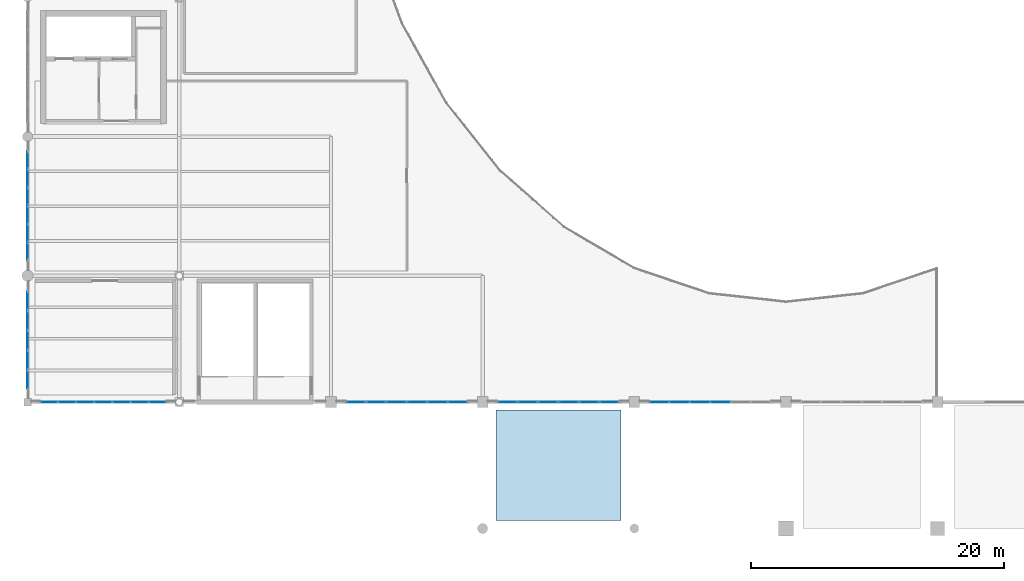
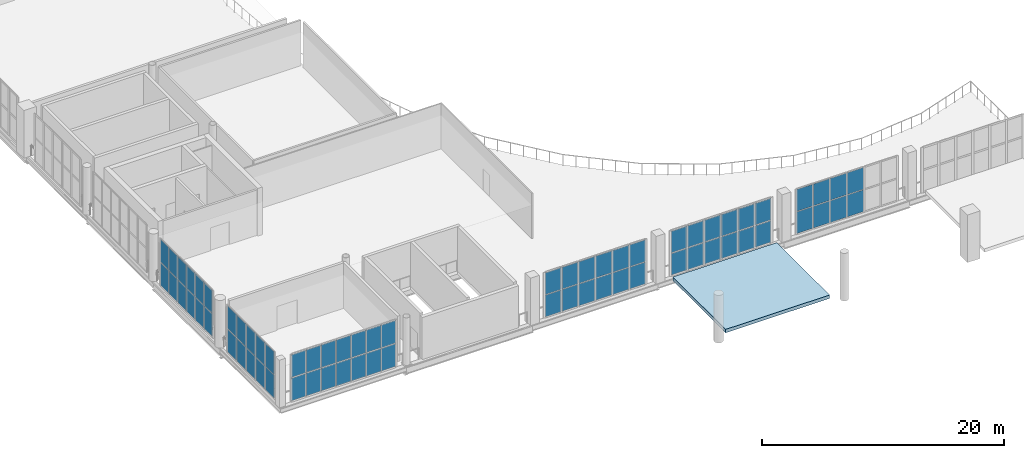
# One storey, part 30 of 49: 68 plates, 1 slab, 6 elements without a shape of their own.
"""IFC4 building model written with IfcOpenShell, lengths in metres."""

from ifc_helpers import new_model, si_unit, direction, frame, origin, origin_2d, place, context, subcontext, project, spatial, polyline, rectangle, outline, extrude, material, layer, layer_set, type_object, element, aggregate, save


model = new_model("IFC4")

# Units and contexts
model_context = context("Model", 3, precision=1e-05, world=origin(), true_north=direction((0.0, 1.0)))
body_context = subcontext(model_context, "Body", "Model", "MODEL_VIEW")
ifc_project = project(units=[si_unit("LENGTHUNIT", "METRE"), si_unit("AREAUNIT", "SQUARE_METRE"), si_unit("VOLUMEUNIT", "CUBIC_METRE"), si_unit("PLANEANGLEUNIT", "RADIAN"), si_unit("MASSUNIT", "GRAM", prefix="KILO")], contexts=[model_context])

# Site, building, storey
site_placement = place(None, origin())
site = spatial("IfcSite", under=ifc_project, at=site_placement, CompositionType="ELEMENT")
building_placement = place(site_placement, origin())
building = spatial("IfcBuilding", under=site, at=building_placement, Name="Brinegate Civic Arena", CompositionType="ELEMENT")
storey_placement = place(building_placement, frame((0.0, 0.0, 24.60009765625)))
storey = spatial("IfcBuildingStorey", under=building, at=storey_placement, Name="L05", CompositionType="ELEMENT", Elevation=24.60009765625)

# Curtain wall, plates
ifc_material_1 = material(Name="Marine grade aluminium", Category="aluminium")
ifc_layer_1 = layer(ifc_material_1, 0.199951171875, Name="Marine grade aluminium")
ifc_layer_set_1 = layer_set([ifc_layer_1], Name="Marine grade aluminium")
curtain_wall_type = type_object("IfcCurtainWallType", Name="CW-BOWL-GLAZED-01", PredefinedType="USERDEFINED", material=ifc_layer_set_1)
curtain_wall_1_placement = place(storey_placement, origin())
curtain_wall_1 = element("IfcCurtainWall", 1, at=curtain_wall_1_placement, inside=storey, type_object=curtain_wall_type, Name="Curtain Wall CWA-164", ObjectType="GLAZED CURTAIN WALL", PredefinedType="USERDEFINED")
ifc_material_2 = material(Name="Hurricane laminated low-E glass", Category="glass")
ifc_layer_2 = layer(ifc_material_2, 0.028076171875, Name="Hurricane laminated low-E glass")
ifc_layer_set_2 = layer_set([ifc_layer_2], Name="Hurricane laminated low-E glass")
plate_type_1 = type_object("IfcPlateType", Name="CW-PANEL-GLAZED-28", PredefinedType="CURTAIN_PANEL", material=ifc_layer_set_2)
plate_1_placement = place(storey_placement, frame((49.707763671875, 10.0, 0.074951171875), z_axis=(0.0, 0.0, 1.0), x_axis=(1.0, 0.0, 0.0)))
plate_1 = element("IfcPlate", 2, at=plate_1_placement, type_object=plate_type_1, Name="CWA-164 panel 1.1", PredefinedType="CURTAIN_PANEL", context=body_context, shape_type="SweptSolid", body=[
    extrude(rectangle(XDim=1.33740234375, YDim=0.028076171875, at=origin_2d()), origin(), (0.0, 0.0, 1.0), 2.28759765625),
])
plate_2_placement = place(storey_placement, frame((49.707763671875, 10.0, 2.437255859375), z_axis=(0.0, 0.0, 1.0), x_axis=(1.0, 0.0, 0.0)))
plate_2 = element("IfcPlate", 3, at=plate_2_placement, type_object=plate_type_1, Name="CWA-164 panel 1.2", PredefinedType="CURTAIN_PANEL", context=body_context, shape_type="SweptSolid", body=[
    extrude(rectangle(XDim=1.33740234375, YDim=0.028076171875, at=origin_2d()), origin(), (0.0, 0.0, 1.0), 2.28759765625),
])
plate_3_placement = place(storey_placement, frame((51.12646484375, 10.0, 0.074951171875), z_axis=(0.0, 0.0, 1.0), x_axis=(1.0, 0.0, 0.0)))
plate_3 = element("IfcPlate", 4, at=plate_3_placement, type_object=plate_type_1, Name="CWA-164 panel 2.1", PredefinedType="CURTAIN_PANEL", context=body_context, shape_type="SweptSolid", body=[
    extrude(rectangle(XDim=1.3701171875, YDim=0.028076171875, at=origin_2d()), origin(), (0.0, 0.0, 1.0), 2.28759765625),
])
plate_4_placement = place(storey_placement, frame((51.12646484375, 10.0, 2.437255859375), z_axis=(0.0, 0.0, 1.0), x_axis=(1.0, 0.0, 0.0)))
plate_4 = element("IfcPlate", 5, at=plate_4_placement, type_object=plate_type_1, Name="CWA-164 panel 2.2", PredefinedType="CURTAIN_PANEL", context=body_context, shape_type="SweptSolid", body=[
    extrude(rectangle(XDim=1.3701171875, YDim=0.028076171875, at=origin_2d()), origin(), (0.0, 0.0, 1.0), 2.28759765625),
])
plate_5_placement = place(storey_placement, frame((52.5615234375, 10.0, 0.074951171875), z_axis=(0.0, 0.0, 1.0), x_axis=(1.0, 0.0, 0.0)))
plate_5 = element("IfcPlate", 6, at=plate_5_placement, type_object=plate_type_1, Name="CWA-164 panel 3.1", PredefinedType="CURTAIN_PANEL", context=body_context, shape_type="SweptSolid", body=[
    extrude(rectangle(XDim=1.3701171875, YDim=0.028076171875, at=origin_2d()), origin(), (0.0, 0.0, 1.0), 2.28759765625),
])
plate_6_placement = place(storey_placement, frame((52.5615234375, 10.0, 2.437255859375), z_axis=(0.0, 0.0, 1.0), x_axis=(1.0, 0.0, 0.0)))
plate_6 = element("IfcPlate", 7, at=plate_6_placement, type_object=plate_type_1, Name="CWA-164 panel 3.2", PredefinedType="CURTAIN_PANEL", context=body_context, shape_type="SweptSolid", body=[
    extrude(rectangle(XDim=1.3701171875, YDim=0.028076171875, at=origin_2d()), origin(), (0.0, 0.0, 1.0), 2.28759765625),
])
plate_7_placement = place(storey_placement, frame((53.99658203125, 10.0, 0.074951171875), z_axis=(0.0, 0.0, 1.0), x_axis=(1.0, 0.0, 0.0)))
plate_7 = element("IfcPlate", 8, at=plate_7_placement, type_object=plate_type_1, Name="CWA-164 panel 4.1", PredefinedType="CURTAIN_PANEL", context=body_context, shape_type="SweptSolid", body=[
    extrude(rectangle(XDim=1.3701171875, YDim=0.028076171875, at=origin_2d()), origin(), (0.0, 0.0, 1.0), 2.28759765625),
])
plate_8_placement = place(storey_placement, frame((53.99658203125, 10.0, 2.437255859375), z_axis=(0.0, 0.0, 1.0), x_axis=(1.0, 0.0, 0.0)))
plate_8 = element("IfcPlate", 9, at=plate_8_placement, type_object=plate_type_1, Name="CWA-164 panel 4.2", PredefinedType="CURTAIN_PANEL", context=body_context, shape_type="SweptSolid", body=[
    extrude(rectangle(XDim=1.3701171875, YDim=0.028076171875, at=origin_2d()), origin(), (0.0, 0.0, 1.0), 2.28759765625),
])
plate_9_placement = place(storey_placement, frame((55.431396484375, 10.0, 0.074951171875), z_axis=(0.0, 0.0, 1.0), x_axis=(1.0, 0.0, 0.0)))
plate_9 = element("IfcPlate", 10, at=plate_9_placement, type_object=plate_type_1, Name="CWA-164 panel 5.1", PredefinedType="CURTAIN_PANEL", context=body_context, shape_type="SweptSolid", body=[
    extrude(rectangle(XDim=1.3701171875, YDim=0.028076171875, at=origin_2d()), origin(), (0.0, 0.0, 1.0), 2.28759765625),
])
plate_10_placement = place(storey_placement, frame((55.431396484375, 10.0, 2.437255859375), z_axis=(0.0, 0.0, 1.0), x_axis=(1.0, 0.0, 0.0)))
plate_10 = element("IfcPlate", 11, at=plate_10_placement, type_object=plate_type_1, Name="CWA-164 panel 5.2", PredefinedType="CURTAIN_PANEL", context=body_context, shape_type="SweptSolid", body=[
    extrude(rectangle(XDim=1.3701171875, YDim=0.028076171875, at=origin_2d()), origin(), (0.0, 0.0, 1.0), 2.28759765625),
])
plate_11_placement = place(storey_placement, frame((56.866455078125, 10.0, 0.074951171875), z_axis=(0.0, 0.0, 1.0), x_axis=(1.0, 0.0, 0.0)))
plate_11 = element("IfcPlate", 12, at=plate_11_placement, type_object=plate_type_1, Name="CWA-164 panel 6.1", PredefinedType="CURTAIN_PANEL", context=body_context, shape_type="SweptSolid", body=[
    extrude(rectangle(XDim=1.3701171875, YDim=0.028076171875, at=origin_2d()), origin(), (0.0, 0.0, 1.0), 2.28759765625),
])
plate_12_placement = place(storey_placement, frame((56.866455078125, 10.0, 2.437255859375), z_axis=(0.0, 0.0, 1.0), x_axis=(1.0, 0.0, 0.0)))
plate_12 = element("IfcPlate", 13, at=plate_12_placement, type_object=plate_type_1, Name="CWA-164 panel 6.2", PredefinedType="CURTAIN_PANEL", context=body_context, shape_type="SweptSolid", body=[
    extrude(rectangle(XDim=1.3701171875, YDim=0.028076171875, at=origin_2d()), origin(), (0.0, 0.0, 1.0), 2.28759765625),
])
plate_13_placement = place(storey_placement, frame((58.28515625, 10.0, 0.074951171875), z_axis=(0.0, 0.0, 1.0), x_axis=(1.0, 0.0, 0.0)))
plate_13 = element("IfcPlate", 14, at=plate_13_placement, type_object=plate_type_1, Name="CWA-164 panel 7.1", PredefinedType="CURTAIN_PANEL", context=body_context, shape_type="SweptSolid", body=[
    extrude(rectangle(XDim=1.33740234375, YDim=0.028076171875, at=origin_2d()), origin(), (0.0, 0.0, 1.0), 2.28759765625),
])
plate_14_placement = place(storey_placement, frame((58.28515625, 10.0, 2.437255859375), z_axis=(0.0, 0.0, 1.0), x_axis=(1.0, 0.0, 0.0)))
plate_14 = element("IfcPlate", 15, at=plate_14_placement, type_object=plate_type_1, Name="CWA-164 panel 7.2", PredefinedType="CURTAIN_PANEL", context=body_context, shape_type="SweptSolid", body=[
    extrude(rectangle(XDim=1.33740234375, YDim=0.028076171875, at=origin_2d()), origin(), (0.0, 0.0, 1.0), 2.28759765625),
])
aggregate(curtain_wall_1, [plate_1, plate_2, plate_3, plate_4, plate_5, plate_6, plate_7, plate_8, plate_9, plate_10, plate_11, plate_12, plate_13, plate_14])

curtain_wall_2_placement = place(storey_placement, origin())
curtain_wall_2 = element("IfcCurtainWall", 16, at=curtain_wall_2_placement, inside=storey, type_object=curtain_wall_type, Name="Curtain Wall CWA-167", ObjectType="GLAZED CURTAIN WALL", PredefinedType="USERDEFINED")
plate_15_placement = place(storey_placement, frame((97.975341796875, 10.0, 0.06494140625), z_axis=(0.0, 0.0, 1.0), x_axis=(1.0, 0.0, 0.0)))
plate_15 = element("IfcPlate", 17, at=plate_15_placement, type_object=plate_type_1, Name="CWA-167 panel 1.1", PredefinedType="CURTAIN_PANEL", context=body_context, shape_type="SweptSolid", body=[
    extrude(rectangle(XDim=1.518798828125, YDim=0.028076171875, at=origin_2d()), origin(), (0.0, 0.0, 1.0), 2.1923828125),
])
plate_16_placement = place(storey_placement, frame((97.975341796875, 10.0, 2.322509765625), z_axis=(0.0, 0.0, 1.0), x_axis=(1.0, 0.0, 0.0)))
plate_16 = element("IfcPlate", 18, at=plate_16_placement, type_object=plate_type_1, Name="CWA-167 panel 1.2", PredefinedType="CURTAIN_PANEL", context=body_context, shape_type="SweptSolid", body=[
    extrude(rectangle(XDim=1.518798828125, YDim=0.028076171875, at=origin_2d()), origin(), (0.0, 0.0, 1.0), 2.1923828125),
])
plate_17_placement = place(storey_placement, frame((99.575439453125, 10.0, 0.06494140625), z_axis=(0.0, 0.0, 1.0), x_axis=(1.0, 0.0, 0.0)))
plate_17 = element("IfcPlate", 19, at=plate_17_placement, type_object=plate_type_1, Name="CWA-167 panel 2.1", PredefinedType="CURTAIN_PANEL", context=body_context, shape_type="SweptSolid", body=[
    extrude(rectangle(XDim=1.55126953125, YDim=0.028076171875, at=origin_2d()), origin(), (0.0, 0.0, 1.0), 2.1923828125),
])
plate_18_placement = place(storey_placement, frame((99.575439453125, 10.0, 2.322509765625), z_axis=(0.0, 0.0, 1.0), x_axis=(1.0, 0.0, 0.0)))
plate_18 = element("IfcPlate", 20, at=plate_18_placement, type_object=plate_type_1, Name="CWA-167 panel 2.2", PredefinedType="CURTAIN_PANEL", context=body_context, shape_type="SweptSolid", body=[
    extrude(rectangle(XDim=1.55126953125, YDim=0.028076171875, at=origin_2d()), origin(), (0.0, 0.0, 1.0), 2.1923828125),
])
plate_19_placement = place(storey_placement, frame((101.19189453125, 10.0, 0.06494140625), z_axis=(0.0, 0.0, 1.0), x_axis=(1.0, 0.0, 0.0)))
plate_19 = element("IfcPlate", 21, at=plate_19_placement, type_object=plate_type_1, Name="CWA-167 panel 3.1", PredefinedType="CURTAIN_PANEL", context=body_context, shape_type="SweptSolid", body=[
    extrude(rectangle(XDim=1.55126953125, YDim=0.028076171875, at=origin_2d()), origin(), (0.0, 0.0, 1.0), 2.1923828125),
])
plate_20_placement = place(storey_placement, frame((101.19189453125, 10.0, 2.322509765625), z_axis=(0.0, 0.0, 1.0), x_axis=(1.0, 0.0, 0.0)))
plate_20 = element("IfcPlate", 22, at=plate_20_placement, type_object=plate_type_1, Name="CWA-167 panel 3.2", PredefinedType="CURTAIN_PANEL", context=body_context, shape_type="SweptSolid", body=[
    extrude(rectangle(XDim=1.55126953125, YDim=0.028076171875, at=origin_2d()), origin(), (0.0, 0.0, 1.0), 2.1923828125),
])
plate_21_placement = place(storey_placement, frame((102.80810546875, 10.0, 0.06494140625), z_axis=(0.0, 0.0, 1.0), x_axis=(1.0, 0.0, 0.0)))
plate_21 = element("IfcPlate", 23, at=plate_21_placement, type_object=plate_type_1, Name="CWA-167 panel 4.1", PredefinedType="CURTAIN_PANEL", context=body_context, shape_type="SweptSolid", body=[
    extrude(rectangle(XDim=1.55126953125, YDim=0.028076171875, at=origin_2d()), origin(), (0.0, 0.0, 1.0), 2.1923828125),
])
plate_22_placement = place(storey_placement, frame((102.80810546875, 10.0, 2.322509765625), z_axis=(0.0, 0.0, 1.0), x_axis=(1.0, 0.0, 0.0)))
plate_22 = element("IfcPlate", 24, at=plate_22_placement, type_object=plate_type_1, Name="CWA-167 panel 4.2", PredefinedType="CURTAIN_PANEL", context=body_context, shape_type="SweptSolid", body=[
    extrude(rectangle(XDim=1.55126953125, YDim=0.028076171875, at=origin_2d()), origin(), (0.0, 0.0, 1.0), 2.1923828125),
])
aggregate(curtain_wall_2, [plate_15, plate_16, plate_17, plate_18, plate_19, plate_20, plate_21, plate_22])

curtain_wall_3_placement = place(storey_placement, origin())
curtain_wall_3 = element("IfcCurtainWall", 25, at=curtain_wall_3_placement, inside=storey, type_object=curtain_wall_type, Name="Curtain Wall CWA-154", ObjectType="GLAZED CURTAIN WALL", PredefinedType="USERDEFINED")
ifc_layer_3 = layer(ifc_material_2, 0.035888671875, Name="Hurricane laminated low-E glass")
ifc_layer_set_3 = layer_set([ifc_layer_3], Name="Hurricane laminated low-E glass")
plate_type_2 = type_object("IfcPlateType", Name="CW-PANEL-GLAZED-36", PredefinedType="CURTAIN_PANEL", material=ifc_layer_set_3)
plate_23_placement = place(storey_placement, frame((48.0, 11.77685546875, 0.06494140625), z_axis=(0.0, 0.0, 1.0), x_axis=(0.0, 1.0, 0.0)))
plate_23 = element("IfcPlate", 26, at=plate_23_placement, type_object=plate_type_2, Name="CWA-154 panel 1.1", PredefinedType="CURTAIN_PANEL", context=body_context, shape_type="SweptSolid", body=[
    extrude(rectangle(XDim=1.45556640625, YDim=0.035888671875, at=origin_2d()), origin(), (0.0, 0.0, 1.0), 2.302490234375),
])
plate_24_placement = place(storey_placement, frame((48.0, 11.77685546875, 2.4326171875), z_axis=(0.0, 0.0, 1.0), x_axis=(0.0, 1.0, 0.0)))
plate_24 = element("IfcPlate", 27, at=plate_24_placement, type_object=plate_type_2, Name="CWA-154 panel 1.2", PredefinedType="CURTAIN_PANEL", context=body_context, shape_type="SweptSolid", body=[
    extrude(rectangle(XDim=1.45556640625, YDim=0.035888671875, at=origin_2d()), origin(), (0.0, 0.0, 1.0), 2.302490234375),
])
plate_25_placement = place(storey_placement, frame((48.0, 13.325927734375, 0.06494140625), z_axis=(0.0, 0.0, 1.0), x_axis=(0.0, 1.0, 0.0)))
plate_25 = element("IfcPlate", 28, at=plate_25_placement, type_object=plate_type_2, Name="CWA-154 panel 2.1", PredefinedType="CURTAIN_PANEL", context=body_context, shape_type="SweptSolid", body=[
    extrude(rectangle(XDim=1.492919921875, YDim=0.035888671875, at=origin_2d()), origin(), (0.0, 0.0, 1.0), 2.302490234375),
])
plate_26_placement = place(storey_placement, frame((48.0, 13.325927734375, 2.4326171875), z_axis=(0.0, 0.0, 1.0), x_axis=(0.0, 1.0, 0.0)))
plate_26 = element("IfcPlate", 29, at=plate_26_placement, type_object=plate_type_2, Name="CWA-154 panel 2.2", PredefinedType="CURTAIN_PANEL", context=body_context, shape_type="SweptSolid", body=[
    extrude(rectangle(XDim=1.492919921875, YDim=0.035888671875, at=origin_2d()), origin(), (0.0, 0.0, 1.0), 2.302490234375),
])
plate_27_placement = place(storey_placement, frame((48.0, 14.89404296875, 0.06494140625), z_axis=(0.0, 0.0, 1.0), x_axis=(0.0, 1.0, 0.0)))
plate_27 = element("IfcPlate", 30, at=plate_27_placement, type_object=plate_type_2, Name="CWA-154 panel 3.1", PredefinedType="CURTAIN_PANEL", context=body_context, shape_type="SweptSolid", body=[
    extrude(rectangle(XDim=1.492919921875, YDim=0.035888671875, at=origin_2d()), origin(), (0.0, 0.0, 1.0), 2.302490234375),
])
plate_28_placement = place(storey_placement, frame((48.0, 14.89404296875, 2.4326171875), z_axis=(0.0, 0.0, 1.0), x_axis=(0.0, 1.0, 0.0)))
plate_28 = element("IfcPlate", 31, at=plate_28_placement, type_object=plate_type_2, Name="CWA-154 panel 3.2", PredefinedType="CURTAIN_PANEL", context=body_context, shape_type="SweptSolid", body=[
    extrude(rectangle(XDim=1.492919921875, YDim=0.035888671875, at=origin_2d()), origin(), (0.0, 0.0, 1.0), 2.302490234375),
])
plate_29_placement = place(storey_placement, frame((48.0, 16.4619140625, 0.06494140625), z_axis=(0.0, 0.0, 1.0), x_axis=(0.0, 1.0, 0.0)))
plate_29 = element("IfcPlate", 32, at=plate_29_placement, type_object=plate_type_2, Name="CWA-154 panel 4.1", PredefinedType="CURTAIN_PANEL", context=body_context, shape_type="SweptSolid", body=[
    extrude(rectangle(XDim=1.492919921875, YDim=0.035888671875, at=origin_2d()), origin(), (0.0, 0.0, 1.0), 2.302490234375),
])
plate_30_placement = place(storey_placement, frame((48.0, 16.4619140625, 2.4326171875), z_axis=(0.0, 0.0, 1.0), x_axis=(0.0, 1.0, 0.0)))
plate_30 = element("IfcPlate", 33, at=plate_30_placement, type_object=plate_type_2, Name="CWA-154 panel 4.2", PredefinedType="CURTAIN_PANEL", context=body_context, shape_type="SweptSolid", body=[
    extrude(rectangle(XDim=1.492919921875, YDim=0.035888671875, at=origin_2d()), origin(), (0.0, 0.0, 1.0), 2.302490234375),
])
plate_31_placement = place(storey_placement, frame((48.0, 18.01123046875, 0.06494140625), z_axis=(0.0, 0.0, 1.0), x_axis=(0.0, 1.0, 0.0)))
plate_31 = element("IfcPlate", 34, at=plate_31_placement, type_object=plate_type_2, Name="CWA-154 panel 5.1", PredefinedType="CURTAIN_PANEL", context=body_context, shape_type="SweptSolid", body=[
    extrude(rectangle(XDim=1.45556640625, YDim=0.035888671875, at=origin_2d()), origin(), (0.0, 0.0, 1.0), 2.302490234375),
])
plate_32_placement = place(storey_placement, frame((48.0, 18.01123046875, 2.4326171875), z_axis=(0.0, 0.0, 1.0), x_axis=(0.0, 1.0, 0.0)))
plate_32 = element("IfcPlate", 35, at=plate_32_placement, type_object=plate_type_2, Name="CWA-154 panel 5.2", PredefinedType="CURTAIN_PANEL", context=body_context, shape_type="SweptSolid", body=[
    extrude(rectangle(XDim=1.45556640625, YDim=0.035888671875, at=origin_2d()), origin(), (0.0, 0.0, 1.0), 2.302490234375),
])
aggregate(curtain_wall_3, [plate_23, plate_24, plate_25, plate_26, plate_27, plate_28, plate_29, plate_30, plate_31, plate_32])

curtain_wall_4_placement = place(storey_placement, origin())
curtain_wall_4 = element("IfcCurtainWall", 36, at=curtain_wall_4_placement, inside=storey, type_object=curtain_wall_type, Name="Curtain Wall CWA-165", ObjectType="GLAZED CURTAIN WALL", PredefinedType="USERDEFINED")
plate_33_placement = place(storey_placement, frame((73.97802734375, 10.0, 0.06494140625), z_axis=(0.0, 0.0, 1.0), x_axis=(1.0, 0.0, 0.0)))
plate_33 = element("IfcPlate", 37, at=plate_33_placement, type_object=plate_type_2, Name="CWA-165 panel 1.1", PredefinedType="CURTAIN_PANEL", context=body_context, shape_type="SweptSolid", body=[
    extrude(rectangle(XDim=1.50390625, YDim=0.035888671875, at=origin_2d()), origin(), (0.0, 0.0, 1.0), 2.1923828125),
])
plate_34_placement = place(storey_placement, frame((73.97802734375, 10.0, 2.322509765625), z_axis=(0.0, 0.0, 1.0), x_axis=(1.0, 0.0, 0.0)))
plate_34 = element("IfcPlate", 38, at=plate_34_placement, type_object=plate_type_2, Name="CWA-165 panel 1.2", PredefinedType="CURTAIN_PANEL", context=body_context, shape_type="SweptSolid", body=[
    extrude(rectangle(XDim=1.50390625, YDim=0.035888671875, at=origin_2d()), origin(), (0.0, 0.0, 1.0), 2.1923828125),
])
plate_35_placement = place(storey_placement, frame((75.575439453125, 10.0, 0.06494140625), z_axis=(0.0, 0.0, 1.0), x_axis=(1.0, 0.0, 0.0)))
plate_35 = element("IfcPlate", 39, at=plate_35_placement, type_object=plate_type_2, Name="CWA-165 panel 2.1", PredefinedType="CURTAIN_PANEL", context=body_context, shape_type="SweptSolid", body=[
    extrude(rectangle(XDim=1.541259765625, YDim=0.035888671875, at=origin_2d()), origin(), (0.0, 0.0, 1.0), 2.1923828125),
])
plate_36_placement = place(storey_placement, frame((75.575439453125, 10.0, 2.322509765625), z_axis=(0.0, 0.0, 1.0), x_axis=(1.0, 0.0, 0.0)))
plate_36 = element("IfcPlate", 40, at=plate_36_placement, type_object=plate_type_2, Name="CWA-165 panel 2.2", PredefinedType="CURTAIN_PANEL", context=body_context, shape_type="SweptSolid", body=[
    extrude(rectangle(XDim=1.541259765625, YDim=0.035888671875, at=origin_2d()), origin(), (0.0, 0.0, 1.0), 2.1923828125),
])
plate_37_placement = place(storey_placement, frame((77.19189453125, 10.0, 0.06494140625), z_axis=(0.0, 0.0, 1.0), x_axis=(1.0, 0.0, 0.0)))
plate_37 = element("IfcPlate", 41, at=plate_37_placement, type_object=plate_type_2, Name="CWA-165 panel 3.1", PredefinedType="CURTAIN_PANEL", context=body_context, shape_type="SweptSolid", body=[
    extrude(rectangle(XDim=1.541259765625, YDim=0.035888671875, at=origin_2d()), origin(), (0.0, 0.0, 1.0), 2.1923828125),
])
plate_38_placement = place(storey_placement, frame((77.19189453125, 10.0, 2.322509765625), z_axis=(0.0, 0.0, 1.0), x_axis=(1.0, 0.0, 0.0)))
plate_38 = element("IfcPlate", 42, at=plate_38_placement, type_object=plate_type_2, Name="CWA-165 panel 3.2", PredefinedType="CURTAIN_PANEL", context=body_context, shape_type="SweptSolid", body=[
    extrude(rectangle(XDim=1.541259765625, YDim=0.035888671875, at=origin_2d()), origin(), (0.0, 0.0, 1.0), 2.1923828125),
])
plate_39_placement = place(storey_placement, frame((78.80810546875, 10.0, 0.06494140625), z_axis=(0.0, 0.0, 1.0), x_axis=(1.0, 0.0, 0.0)))
plate_39 = element("IfcPlate", 43, at=plate_39_placement, type_object=plate_type_2, Name="CWA-165 panel 4.1", PredefinedType="CURTAIN_PANEL", context=body_context, shape_type="SweptSolid", body=[
    extrude(rectangle(XDim=1.541259765625, YDim=0.035888671875, at=origin_2d()), origin(), (0.0, 0.0, 1.0), 2.1923828125),
])
plate_40_placement = place(storey_placement, frame((78.80810546875, 10.0, 2.322509765625), z_axis=(0.0, 0.0, 1.0), x_axis=(1.0, 0.0, 0.0)))
plate_40 = element("IfcPlate", 44, at=plate_40_placement, type_object=plate_type_2, Name="CWA-165 panel 4.2", PredefinedType="CURTAIN_PANEL", context=body_context, shape_type="SweptSolid", body=[
    extrude(rectangle(XDim=1.541259765625, YDim=0.035888671875, at=origin_2d()), origin(), (0.0, 0.0, 1.0), 2.1923828125),
])
plate_41_placement = place(storey_placement, frame((80.424560546875, 10.0, 0.06494140625), z_axis=(0.0, 0.0, 1.0), x_axis=(1.0, 0.0, 0.0)))
plate_41 = element("IfcPlate", 45, at=plate_41_placement, type_object=plate_type_2, Name="CWA-165 panel 5.1", PredefinedType="CURTAIN_PANEL", context=body_context, shape_type="SweptSolid", body=[
    extrude(rectangle(XDim=1.541259765625, YDim=0.035888671875, at=origin_2d()), origin(), (0.0, 0.0, 1.0), 2.1923828125),
])
plate_42_placement = place(storey_placement, frame((80.424560546875, 10.0, 2.322509765625), z_axis=(0.0, 0.0, 1.0), x_axis=(1.0, 0.0, 0.0)))
plate_42 = element("IfcPlate", 46, at=plate_42_placement, type_object=plate_type_2, Name="CWA-165 panel 5.2", PredefinedType="CURTAIN_PANEL", context=body_context, shape_type="SweptSolid", body=[
    extrude(rectangle(XDim=1.541259765625, YDim=0.035888671875, at=origin_2d()), origin(), (0.0, 0.0, 1.0), 2.1923828125),
])
plate_43_placement = place(storey_placement, frame((82.02197265625, 10.0, 0.06494140625), z_axis=(0.0, 0.0, 1.0), x_axis=(1.0, 0.0, 0.0)))
plate_43 = element("IfcPlate", 47, at=plate_43_placement, type_object=plate_type_2, Name="CWA-165 panel 6.1", PredefinedType="CURTAIN_PANEL", context=body_context, shape_type="SweptSolid", body=[
    extrude(rectangle(XDim=1.50390625, YDim=0.035888671875, at=origin_2d()), origin(), (0.0, 0.0, 1.0), 2.1923828125),
])
plate_44_placement = place(storey_placement, frame((82.02197265625, 10.0, 2.322509765625), z_axis=(0.0, 0.0, 1.0), x_axis=(1.0, 0.0, 0.0)))
plate_44 = element("IfcPlate", 48, at=plate_44_placement, type_object=plate_type_2, Name="CWA-165 panel 6.2", PredefinedType="CURTAIN_PANEL", context=body_context, shape_type="SweptSolid", body=[
    extrude(rectangle(XDim=1.50390625, YDim=0.035888671875, at=origin_2d()), origin(), (0.0, 0.0, 1.0), 2.1923828125),
])
aggregate(curtain_wall_4, [plate_33, plate_34, plate_35, plate_36, plate_37, plate_38, plate_39, plate_40, plate_41, plate_42, plate_43, plate_44])

curtain_wall_5_placement = place(storey_placement, origin())
curtain_wall_5 = element("IfcCurtainWall", 49, at=curtain_wall_5_placement, inside=storey, type_object=curtain_wall_type, Name="Curtain Wall CWA-155", ObjectType="GLAZED CURTAIN WALL", PredefinedType="USERDEFINED")
ifc_layer_4 = layer(ifc_material_2, 0.0419921875, Name="Hurricane laminated low-E glass")
ifc_layer_set_4 = layer_set([ifc_layer_4], Name="Hurricane laminated low-E glass")
plate_type_3 = type_object("IfcPlateType", Name="CW-PANEL-SPANDREL-42", PredefinedType="CURTAIN_PANEL", material=ifc_layer_set_4)
plate_45_placement = place(storey_placement, frame((48.0, 21.930908203125, 0.074951171875), z_axis=(0.0, 0.0, 1.0), x_axis=(0.0, 1.0, 0.0)))
plate_45 = element("IfcPlate", 50, at=plate_45_placement, type_object=plate_type_3, Name="CWA-155 panel 1.1", PredefinedType="CURTAIN_PANEL", context=body_context, shape_type="SweptSolid", body=[
    extrude(rectangle(XDim=1.32958984375, YDim=0.0419921875, at=origin_2d()), origin(), (0.0, 0.0, 1.0), 2.28759765625),
])
plate_46_placement = place(storey_placement, frame((48.0, 21.930908203125, 2.437255859375), z_axis=(0.0, 0.0, 1.0), x_axis=(0.0, 1.0, 0.0)))
plate_46 = element("IfcPlate", 51, at=plate_46_placement, type_object=plate_type_3, Name="CWA-155 panel 1.2", PredefinedType="CURTAIN_PANEL", context=body_context, shape_type="SweptSolid", body=[
    extrude(rectangle(XDim=1.32958984375, YDim=0.0419921875, at=origin_2d()), origin(), (0.0, 0.0, 1.0), 2.28759765625),
])
plate_47_placement = place(storey_placement, frame((48.0, 23.360595703125, 0.074951171875), z_axis=(0.0, 0.0, 1.0), x_axis=(0.0, 1.0, 0.0)))
plate_47 = element("IfcPlate", 52, at=plate_47_placement, type_object=plate_type_3, Name="CWA-155 panel 2.1", PredefinedType="CURTAIN_PANEL", context=body_context, shape_type="SweptSolid", body=[
    extrude(rectangle(XDim=1.36962890625, YDim=0.0419921875, at=origin_2d()), origin(), (0.0, 0.0, 1.0), 2.28759765625),
])
plate_48_placement = place(storey_placement, frame((48.0, 23.360595703125, 2.437255859375), z_axis=(0.0, 0.0, 1.0), x_axis=(0.0, 1.0, 0.0)))
plate_48 = element("IfcPlate", 53, at=plate_48_placement, type_object=plate_type_3, Name="CWA-155 panel 2.2", PredefinedType="CURTAIN_PANEL", context=body_context, shape_type="SweptSolid", body=[
    extrude(rectangle(XDim=1.36962890625, YDim=0.0419921875, at=origin_2d()), origin(), (0.0, 0.0, 1.0), 2.28759765625),
])
plate_49_placement = place(storey_placement, frame((48.0, 24.81005859375, 0.074951171875), z_axis=(0.0, 0.0, 1.0), x_axis=(0.0, 1.0, 0.0)))
plate_49 = element("IfcPlate", 54, at=plate_49_placement, type_object=plate_type_3, Name="CWA-155 panel 3.1", PredefinedType="CURTAIN_PANEL", context=body_context, shape_type="SweptSolid", body=[
    extrude(rectangle(XDim=1.36962890625, YDim=0.0419921875, at=origin_2d()), origin(), (0.0, 0.0, 1.0), 2.28759765625),
])
plate_50_placement = place(storey_placement, frame((48.0, 24.81005859375, 2.437255859375), z_axis=(0.0, 0.0, 1.0), x_axis=(0.0, 1.0, 0.0)))
plate_50 = element("IfcPlate", 55, at=plate_50_placement, type_object=plate_type_3, Name="CWA-155 panel 3.2", PredefinedType="CURTAIN_PANEL", context=body_context, shape_type="SweptSolid", body=[
    extrude(rectangle(XDim=1.36962890625, YDim=0.0419921875, at=origin_2d()), origin(), (0.0, 0.0, 1.0), 2.28759765625),
])
plate_51_placement = place(storey_placement, frame((48.0, 26.259765625, 0.074951171875), z_axis=(0.0, 0.0, 1.0), x_axis=(0.0, 1.0, 0.0)))
plate_51 = element("IfcPlate", 56, at=plate_51_placement, type_object=plate_type_3, Name="CWA-155 panel 4.1", PredefinedType="CURTAIN_PANEL", context=body_context, shape_type="SweptSolid", body=[
    extrude(rectangle(XDim=1.36962890625, YDim=0.0419921875, at=origin_2d()), origin(), (0.0, 0.0, 1.0), 2.28759765625),
])
plate_52_placement = place(storey_placement, frame((48.0, 26.259765625, 2.437255859375), z_axis=(0.0, 0.0, 1.0), x_axis=(0.0, 1.0, 0.0)))
plate_52 = element("IfcPlate", 57, at=plate_52_placement, type_object=plate_type_3, Name="CWA-155 panel 4.2", PredefinedType="CURTAIN_PANEL", context=body_context, shape_type="SweptSolid", body=[
    extrude(rectangle(XDim=1.36962890625, YDim=0.0419921875, at=origin_2d()), origin(), (0.0, 0.0, 1.0), 2.28759765625),
])
plate_53_placement = place(storey_placement, frame((48.0, 27.70947265625, 0.074951171875), z_axis=(0.0, 0.0, 1.0), x_axis=(0.0, 1.0, 0.0)))
plate_53 = element("IfcPlate", 58, at=plate_53_placement, type_object=plate_type_3, Name="CWA-155 panel 5.1", PredefinedType="CURTAIN_PANEL", context=body_context, shape_type="SweptSolid", body=[
    extrude(rectangle(XDim=1.36962890625, YDim=0.0419921875, at=origin_2d()), origin(), (0.0, 0.0, 1.0), 2.28759765625),
])
plate_54_placement = place(storey_placement, frame((48.0, 27.70947265625, 2.437255859375), z_axis=(0.0, 0.0, 1.0), x_axis=(0.0, 1.0, 0.0)))
plate_54 = element("IfcPlate", 59, at=plate_54_placement, type_object=plate_type_3, Name="CWA-155 panel 5.2", PredefinedType="CURTAIN_PANEL", context=body_context, shape_type="SweptSolid", body=[
    extrude(rectangle(XDim=1.36962890625, YDim=0.0419921875, at=origin_2d()), origin(), (0.0, 0.0, 1.0), 2.28759765625),
])
plate_55_placement = place(storey_placement, frame((48.0, 29.13916015625, 0.074951171875), z_axis=(0.0, 0.0, 1.0), x_axis=(0.0, 1.0, 0.0)))
plate_55 = element("IfcPlate", 60, at=plate_55_placement, type_object=plate_type_3, Name="CWA-155 panel 6.1", PredefinedType="CURTAIN_PANEL", context=body_context, shape_type="SweptSolid", body=[
    extrude(rectangle(XDim=1.32958984375, YDim=0.0419921875, at=origin_2d()), origin(), (0.0, 0.0, 1.0), 2.28759765625),
])
plate_56_placement = place(storey_placement, frame((48.0, 29.13916015625, 2.437255859375), z_axis=(0.0, 0.0, 1.0), x_axis=(0.0, 1.0, 0.0)))
plate_56 = element("IfcPlate", 61, at=plate_56_placement, type_object=plate_type_3, Name="CWA-155 panel 6.2", PredefinedType="CURTAIN_PANEL", context=body_context, shape_type="SweptSolid", body=[
    extrude(rectangle(XDim=1.32958984375, YDim=0.0419921875, at=origin_2d()), origin(), (0.0, 0.0, 1.0), 2.28759765625),
])
aggregate(curtain_wall_5, [plate_45, plate_46, plate_47, plate_48, plate_49, plate_50, plate_51, plate_52, plate_53, plate_54, plate_55, plate_56])

curtain_wall_6_placement = place(storey_placement, origin())
curtain_wall_6 = element("IfcCurtainWall", 62, at=curtain_wall_6_placement, inside=storey, type_object=curtain_wall_type, Name="Curtain Wall CWA-166", ObjectType="GLAZED CURTAIN WALL", PredefinedType="USERDEFINED")
plate_57_placement = place(storey_placement, frame((85.979248046875, 10.0, 0.07470703125), z_axis=(0.0, 0.0, 1.0), x_axis=(1.0, 0.0, 0.0)))
plate_57 = element("IfcPlate", 63, at=plate_57_placement, type_object=plate_type_3, Name="CWA-166 panel 1.1", PredefinedType="CURTAIN_PANEL", context=body_context, shape_type="SweptSolid", body=[
    extrude(rectangle(XDim=1.496337890625, YDim=0.0419921875, at=origin_2d()), origin(), (0.0, 0.0, 1.0), 2.177490234375),
])
plate_58_placement = place(storey_placement, frame((85.979248046875, 10.0, 2.32763671875), z_axis=(0.0, 0.0, 1.0), x_axis=(1.0, 0.0, 0.0)))
plate_58 = element("IfcPlate", 64, at=plate_58_placement, type_object=plate_type_3, Name="CWA-166 panel 1.2", PredefinedType="CURTAIN_PANEL", context=body_context, shape_type="SweptSolid", body=[
    extrude(rectangle(XDim=1.496337890625, YDim=0.0419921875, at=origin_2d()), origin(), (0.0, 0.0, 1.0), 2.177490234375),
])
plate_59_placement = place(storey_placement, frame((87.575439453125, 10.0, 0.07470703125), z_axis=(0.0, 0.0, 1.0), x_axis=(1.0, 0.0, 0.0)))
plate_59 = element("IfcPlate", 65, at=plate_59_placement, type_object=plate_type_3, Name="CWA-166 panel 2.1", PredefinedType="CURTAIN_PANEL", context=body_context, shape_type="SweptSolid", body=[
    extrude(rectangle(XDim=1.536376953125, YDim=0.0419921875, at=origin_2d()), origin(), (0.0, 0.0, 1.0), 2.177490234375),
])
plate_60_placement = place(storey_placement, frame((87.575439453125, 10.0, 2.32763671875), z_axis=(0.0, 0.0, 1.0), x_axis=(1.0, 0.0, 0.0)))
plate_60 = element("IfcPlate", 66, at=plate_60_placement, type_object=plate_type_3, Name="CWA-166 panel 2.2", PredefinedType="CURTAIN_PANEL", context=body_context, shape_type="SweptSolid", body=[
    extrude(rectangle(XDim=1.536376953125, YDim=0.0419921875, at=origin_2d()), origin(), (0.0, 0.0, 1.0), 2.177490234375),
])
plate_61_placement = place(storey_placement, frame((89.19189453125, 10.0, 0.07470703125), z_axis=(0.0, 0.0, 1.0), x_axis=(1.0, 0.0, 0.0)))
plate_61 = element("IfcPlate", 67, at=plate_61_placement, type_object=plate_type_3, Name="CWA-166 panel 3.1", PredefinedType="CURTAIN_PANEL", context=body_context, shape_type="SweptSolid", body=[
    extrude(rectangle(XDim=1.536376953125, YDim=0.0419921875, at=origin_2d()), origin(), (0.0, 0.0, 1.0), 2.177490234375),
])
plate_62_placement = place(storey_placement, frame((89.19189453125, 10.0, 2.32763671875), z_axis=(0.0, 0.0, 1.0), x_axis=(1.0, 0.0, 0.0)))
plate_62 = element("IfcPlate", 68, at=plate_62_placement, type_object=plate_type_3, Name="CWA-166 panel 3.2", PredefinedType="CURTAIN_PANEL", context=body_context, shape_type="SweptSolid", body=[
    extrude(rectangle(XDim=1.536376953125, YDim=0.0419921875, at=origin_2d()), origin(), (0.0, 0.0, 1.0), 2.177490234375),
])
plate_63_placement = place(storey_placement, frame((90.80810546875, 10.0, 0.07470703125), z_axis=(0.0, 0.0, 1.0), x_axis=(1.0, 0.0, 0.0)))
plate_63 = element("IfcPlate", 69, at=plate_63_placement, type_object=plate_type_3, Name="CWA-166 panel 4.1", PredefinedType="CURTAIN_PANEL", context=body_context, shape_type="SweptSolid", body=[
    extrude(rectangle(XDim=1.536376953125, YDim=0.0419921875, at=origin_2d()), origin(), (0.0, 0.0, 1.0), 2.177490234375),
])
plate_64_placement = place(storey_placement, frame((90.80810546875, 10.0, 2.32763671875), z_axis=(0.0, 0.0, 1.0), x_axis=(1.0, 0.0, 0.0)))
plate_64 = element("IfcPlate", 70, at=plate_64_placement, type_object=plate_type_3, Name="CWA-166 panel 4.2", PredefinedType="CURTAIN_PANEL", context=body_context, shape_type="SweptSolid", body=[
    extrude(rectangle(XDim=1.536376953125, YDim=0.0419921875, at=origin_2d()), origin(), (0.0, 0.0, 1.0), 2.177490234375),
])
plate_65_placement = place(storey_placement, frame((92.424560546875, 10.0, 0.07470703125), z_axis=(0.0, 0.0, 1.0), x_axis=(1.0, 0.0, 0.0)))
plate_65 = element("IfcPlate", 71, at=plate_65_placement, type_object=plate_type_3, Name="CWA-166 panel 5.1", PredefinedType="CURTAIN_PANEL", context=body_context, shape_type="SweptSolid", body=[
    extrude(rectangle(XDim=1.536376953125, YDim=0.0419921875, at=origin_2d()), origin(), (0.0, 0.0, 1.0), 2.177490234375),
])
plate_66_placement = place(storey_placement, frame((92.424560546875, 10.0, 2.32763671875), z_axis=(0.0, 0.0, 1.0), x_axis=(1.0, 0.0, 0.0)))
plate_66 = element("IfcPlate", 72, at=plate_66_placement, type_object=plate_type_3, Name="CWA-166 panel 5.2", PredefinedType="CURTAIN_PANEL", context=body_context, shape_type="SweptSolid", body=[
    extrude(rectangle(XDim=1.536376953125, YDim=0.0419921875, at=origin_2d()), origin(), (0.0, 0.0, 1.0), 2.177490234375),
])
plate_67_placement = place(storey_placement, frame((94.020751953125, 10.0, 0.07470703125), z_axis=(0.0, 0.0, 1.0), x_axis=(1.0, 0.0, 0.0)))
plate_67 = element("IfcPlate", 73, at=plate_67_placement, type_object=plate_type_3, Name="CWA-166 panel 6.1", PredefinedType="CURTAIN_PANEL", context=body_context, shape_type="SweptSolid", body=[
    extrude(rectangle(XDim=1.496337890625, YDim=0.0419921875, at=origin_2d()), origin(), (0.0, 0.0, 1.0), 2.177490234375),
])
plate_68_placement = place(storey_placement, frame((94.020751953125, 10.0, 2.32763671875), z_axis=(0.0, 0.0, 1.0), x_axis=(1.0, 0.0, 0.0)))
plate_68 = element("IfcPlate", 74, at=plate_68_placement, type_object=plate_type_3, Name="CWA-166 panel 6.2", PredefinedType="CURTAIN_PANEL", context=body_context, shape_type="SweptSolid", body=[
    extrude(rectangle(XDim=1.496337890625, YDim=0.0419921875, at=origin_2d()), origin(), (0.0, 0.0, 1.0), 2.177490234375),
])
aggregate(curtain_wall_6, [plate_57, plate_58, plate_59, plate_60, plate_61, plate_62, plate_63, plate_64, plate_65, plate_66, plate_67, plate_68])

# Slab
ifc_material_3 = material(Name="Concrete C40/50", Category="concrete")
ifc_layer_5 = layer(ifc_material_3, 0.340087890625, Name="Concrete C40/50")
ifc_layer_set_5 = layer_set([ifc_layer_5], Name="Concrete C40/50")
slab_type = type_object("IfcSlabType", Name="SLAB-ROOF-PORTAL-340", PredefinedType="ROOF", material=ifc_layer_set_5)
slab_placement = place(storey_placement, origin())
element("IfcSlab", 75, at=slab_placement, inside=storey, type_object=slab_type, Name="Core and Stair Headhouse Roof Cap K4", PredefinedType="ROOF", context=body_context, shape_type="SweptSolid", body=[
    extrude(outline(polyline([(85.0400390625, 0.639892578125), (94.9599609375, 0.639892578125), (94.9599609375, 9.360107421875), (85.0400390625, 9.360107421875), (85.0400390625, 0.639892578125)])), origin(), (0.0, 0.0, 1.0), 0.33984375),
])

save(model, "model.ifc")
